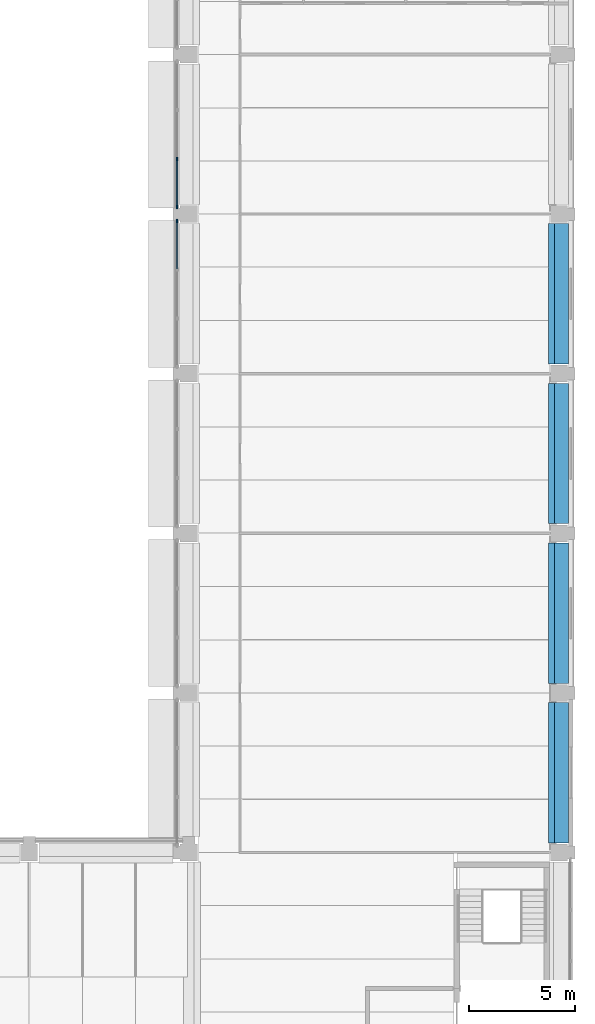
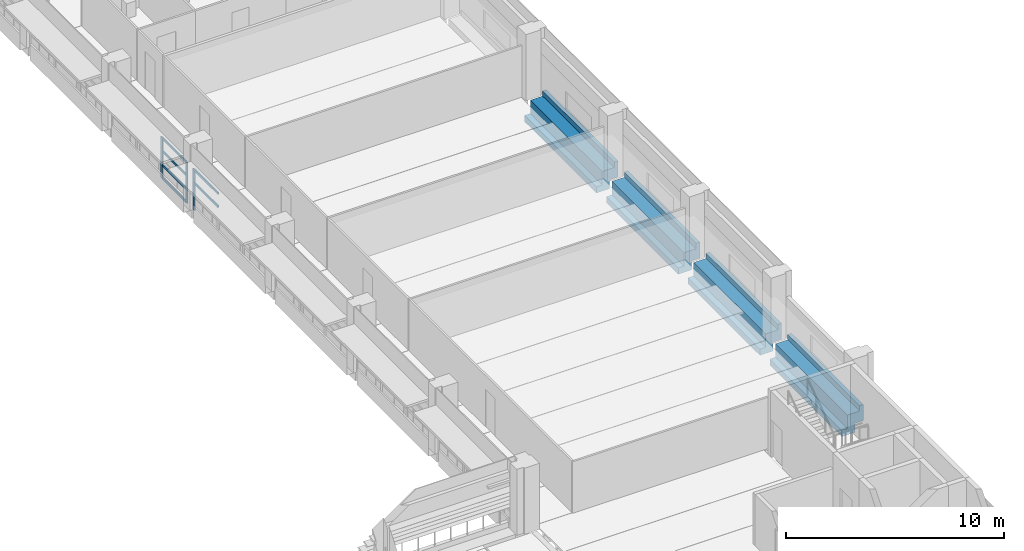
# One storey, part 22 of 61: 9 members, 4 beams, 2 elements without a shape of their own.
"""IFC4 building model written with IfcOpenShell, lengths in metres."""

from ifc_helpers import new_model, si_unit, direction, frame, origin, origin_2d, place, context, subcontext, project, spatial, polyline, rectangle, outline, extrude, material, layer, layer_set, material_profile, profile_set, type_object, element, aggregate, save


model = new_model("IFC4")

# Units and contexts
model_context = context("Model", 3, precision=1e-05, world=origin(), true_north=direction((0.0, 1.0)))
body_context = subcontext(model_context, "Body", "Model", "MODEL_VIEW")
ifc_project = project(units=[si_unit("LENGTHUNIT", "METRE"), si_unit("AREAUNIT", "SQUARE_METRE"), si_unit("VOLUMEUNIT", "CUBIC_METRE"), si_unit("PLANEANGLEUNIT", "RADIAN"), si_unit("MASSUNIT", "GRAM", prefix="KILO")], contexts=[model_context])

# Site, building, storey
site_placement = place(None, origin())
site = spatial("IfcSite", under=ifc_project, at=site_placement, CompositionType="ELEMENT")
building_placement = place(site_placement, origin())
building = spatial("IfcBuilding", under=site, at=building_placement, Name="Cour d'Honneur Mobility Palace", CompositionType="ELEMENT")
storey_placement = place(building_placement, frame((0.0, 0.0, 11.89990234375)))
storey = spatial("IfcBuildingStorey", under=building, at=storey_placement, Name="L03", CompositionType="ELEMENT", Elevation=11.89990234375)

# Curtain wall, members
ifc_material_1 = material(Name="Aluminium and glass", Category="aluminium")
ifc_layer = layer(ifc_material_1, 0.10009765625)
ifc_layer_set = layer_set([ifc_layer], Name="Aluminium and glass")
curtain_wall_type = type_object("IfcCurtainWallType", Name="Curtain wall run", PredefinedType="NOTDEFINED", material=ifc_layer_set)
curtain_wall_1_placement = place(storey_placement, origin())
curtain_wall_1 = element("IfcCurtainWall", 1, at=curtain_wall_1_placement, inside=storey, type_object=curtain_wall_type, Name="Curtain wall CW-60", PredefinedType="NOTDEFINED")
ifc_material_2 = material(Name="Aluminium", Category="aluminium")
ifc_material_profile_1 = material_profile(ifc_material_2, rectangle(XDim=0.06005859375, YDim=0.159912109375, at=origin_2d()), Name="Curtain wall mullion")
ifc_profile_set_1 = profile_set([ifc_material_profile_1], Name="Aluminium")
member_type_1 = type_object("IfcMemberType", Name="Curtain wall mullion", PredefinedType="MULLION", material=ifc_profile_set_1)
member_1_placement = place(storey_placement, frame((144.35009765625, 95.0, 0.0), z_axis=(0.0, 0.0, 1.0), x_axis=(1.0, 0.0, 0.0)))
member_1 = element("IfcMember", 2, at=member_1_placement, type_object=member_type_1, Name="CW-60 mullion 3", PredefinedType="MULLION", context=body_context, shape_type="SweptSolid", body=[
    extrude(rectangle(XDim=0.06005859375, YDim=0.159912109375, at=origin_2d()), origin(), (0.0, 0.0, 1.0), 2.300048828125),
])
member_2_placement = place(storey_placement, frame((144.35009765625, 92.72998046875, 0.0), z_axis=(0.0, 0.0, 1.0), x_axis=(1.0, 0.0, 0.0)))
member_2 = element("IfcMember", 3, at=member_2_placement, type_object=member_type_1, Name="CW-60 mullion 4", PredefinedType="MULLION", context=body_context, shape_type="SweptSolid", body=[
    extrude(rectangle(XDim=0.06005859375, YDim=0.159912109375, at=origin_2d()), origin(), (0.0, 0.0, 1.0), 2.300048828125),
])

# Curtain wall, member
curtain_wall_2_placement = place(storey_placement, origin())
curtain_wall_2 = element("IfcCurtainWall", 4, at=curtain_wall_2_placement, inside=storey, type_object=curtain_wall_type, Name="Curtain wall CW-61", PredefinedType="NOTDEFINED")
member_3_placement = place(storey_placement, frame((144.35009765625, 92.070068359375, 0.0), z_axis=(0.0, 0.0, 1.0), x_axis=(1.0, 0.0, 0.0)))
member_3 = element("IfcMember", 5, at=member_3_placement, type_object=member_type_1, Name="CW-61 mullion 1", PredefinedType="MULLION", context=body_context, shape_type="SweptSolid", body=[
    extrude(rectangle(XDim=0.06005859375, YDim=0.159912109375, at=origin_2d()), origin(), (0.0, 0.0, 1.0), 2.300048828125),
])

# Member
ifc_material_3 = material(Name="Aluminium", Category="aluminium")
ifc_material_profile_2 = material_profile(ifc_material_3, rectangle(XDim=0.06005859375, YDim=0.1201171875, at=origin_2d()), Name="Curtain wall transom")
ifc_profile_set_2 = profile_set([ifc_material_profile_2], Name="Aluminium")
member_type_2 = type_object("IfcMemberType", Name="Curtain wall transom", PredefinedType="USERDEFINED", material=ifc_profile_set_2)
member_4_placement = place(storey_placement, frame((144.35009765625, 94.969970703125, 0.030029296875), z_axis=(0.0, -1.0, 0.0), x_axis=(1.0, 0.0, 0.0)))
member_4 = element("IfcMember", 6, at=member_4_placement, type_object=member_type_2, Name="CW-60 transom 3.1", ObjectType="TRANSOM", PredefinedType="USERDEFINED", context=body_context, shape_type="SweptSolid", body=[
    extrude(rectangle(XDim=0.06005859375, YDim=0.1201171875, at=origin_2d()), origin(), (0.0, 0.0, 1.0), 2.2099609375),
])

member_5_placement = place(storey_placement, frame((144.35009765625, 94.969970703125, 0.766845703125), z_axis=(0.0, -1.0, 0.0), x_axis=(1.0, 0.0, 0.0)))
member_5 = element("IfcMember", 7, at=member_5_placement, type_object=member_type_2, Name="CW-60 transom 3.2", ObjectType="TRANSOM", PredefinedType="USERDEFINED", context=body_context, shape_type="SweptSolid", body=[
    extrude(rectangle(XDim=0.06005859375, YDim=0.1201171875, at=origin_2d()), origin(), (0.0, 0.0, 1.0), 2.2099609375),
])

member_6_placement = place(storey_placement, frame((144.35009765625, 94.969970703125, 1.533447265625), z_axis=(0.0, -1.0, 0.0), x_axis=(1.0, 0.0, 0.0)))
member_6 = element("IfcMember", 8, at=member_6_placement, type_object=member_type_2, Name="CW-60 transom 3.3", ObjectType="TRANSOM", PredefinedType="USERDEFINED", context=body_context, shape_type="SweptSolid", body=[
    extrude(rectangle(XDim=0.06005859375, YDim=0.1201171875, at=origin_2d()), origin(), (0.0, 0.0, 1.0), 2.2099609375),
])

member_7_placement = place(storey_placement, frame((144.35009765625, 94.969970703125, 2.27001953125), z_axis=(0.0, -1.0, 0.0), x_axis=(1.0, 0.0, 0.0)))
member_7 = element("IfcMember", 9, at=member_7_placement, type_object=member_type_2, Name="CW-60 transom 3.4", ObjectType="TRANSOM", PredefinedType="USERDEFINED", context=body_context, shape_type="SweptSolid", body=[
    extrude(rectangle(XDim=0.06005859375, YDim=0.1201171875, at=origin_2d()), origin(), (0.0, 0.0, 1.0), 2.2099609375),
])

aggregate(curtain_wall_1, [member_1, member_2, member_4, member_5, member_6, member_7])

member_8_placement = place(storey_placement, frame((144.35009765625, 92.0400390625, 1.533447265625), z_axis=(0.0, -1.0, 0.0), x_axis=(1.0, 0.0, 0.0)))
member_8 = element("IfcMember", 10, at=member_8_placement, type_object=member_type_2, Name="CW-61 transom 1.3", ObjectType="TRANSOM", PredefinedType="USERDEFINED", context=body_context, shape_type="SweptSolid", body=[
    extrude(rectangle(XDim=0.06005859375, YDim=0.1201171875, at=origin_2d()), origin(), (0.0, 0.0, 1.0), 2.2099609375),
])

member_9_placement = place(storey_placement, frame((144.35009765625, 92.0400390625, 2.27001953125), z_axis=(0.0, -1.0, 0.0), x_axis=(1.0, 0.0, 0.0)))
member_9 = element("IfcMember", 11, at=member_9_placement, type_object=member_type_2, Name="CW-61 transom 1.4", ObjectType="TRANSOM", PredefinedType="USERDEFINED", context=body_context, shape_type="SweptSolid", body=[
    extrude(rectangle(XDim=0.06005859375, YDim=0.1201171875, at=origin_2d()), origin(), (0.0, 0.0, 1.0), 2.2099609375),
])

aggregate(curtain_wall_2, [member_3, member_8, member_9])

# Beams
ifc_material_4 = material(Name="Concrete C45", Category="concrete")
ifc_material_profile_3 = material_profile(ifc_material_4, outline(polyline([(0.5, -1.10009765625), (0.5, -0.75), (0.199951171875, -0.75), (0.199951171875, 0.0), (-0.199951171875, 0.0), (-0.449951171875, 0.0), (-0.449951171875, 0.300048828125), (-0.64990234375, 0.300048828125), (-0.64990234375, -0.60009765625), (-0.199951171875, -0.60009765625), (-0.199951171875, -1.10009765625), (0.5, -1.10009765625)])), Name="Ledger Beam 400x1100 ledge left 350 facade right")
ifc_profile_set_3 = profile_set([ifc_material_profile_3], Name="Concrete C45")
beam_type = type_object("IfcBeamType", Name="Ledger Beam 400x1100 ledge left 350 facade right", PredefinedType="BEAM", material=ifc_profile_set_3)
for number, where, z_axis, x_axis, name in (
    (12, (162.300048828125, 62.85009765625, 0.0), (0.0, 1.0, 0.0), (-1.0, 0.0, 0.0), "Precast beam B2 H-J L03"),
    (13, (162.300048828125, 70.35009765625, 0.0), (0.0, 1.0, 0.0), (-1.0, 0.0, 0.0), "Precast beam B2 J-K L03"),
    (14, (162.300048828125, 77.85009765625, 0.0), (0.0, 1.0, 0.0), (-1.0, 0.0, 0.0), "Precast beam B2 K-L L03"),
    (15, (162.300048828125, 85.35009765625, 0.0), (0.0, 1.0, 0.0), (-1.0, 0.0, 0.0), "Precast beam B2 L-M L03"),
):
    element("IfcBeam", number, at=place(storey_placement, frame(where, z_axis=z_axis, x_axis=x_axis)), inside=storey, type_object=beam_type, Name=name, PredefinedType="BEAM", context=body_context, shape_type="SweptSolid", body=[
        extrude(outline(polyline([(0.5, -1.10009765625), (0.5, -0.75), (0.199951171875, -0.75), (0.199951171875, 0.0), (-0.199951171875, 0.0), (-0.449951171875, 0.0), (-0.449951171875, 0.300048828125), (-0.64990234375, 0.300048828125), (-0.64990234375, -0.60009765625), (-0.199951171875, -0.60009765625), (-0.199951171875, -1.10009765625), (0.5, -1.10009765625)])), origin(), (0.0, 0.0, 1.0), 6.599853515625),
    ])

save(model, "model.ifc")
